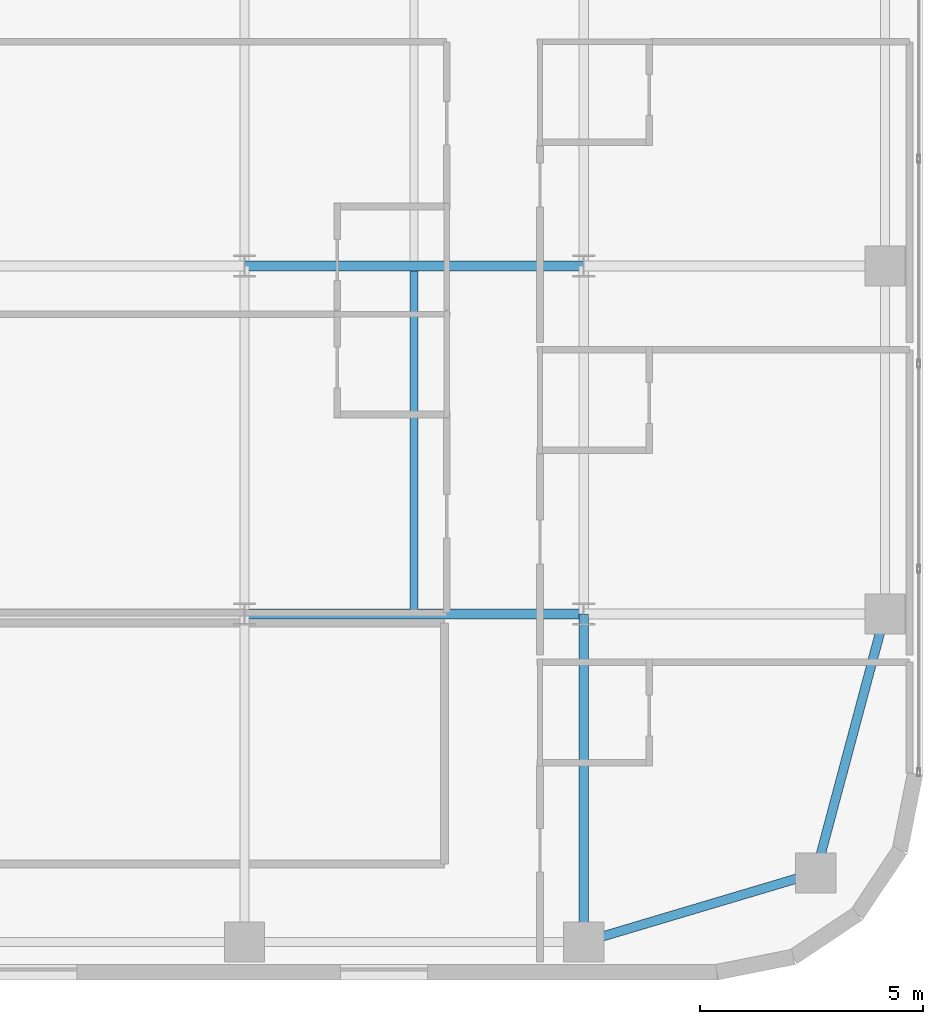
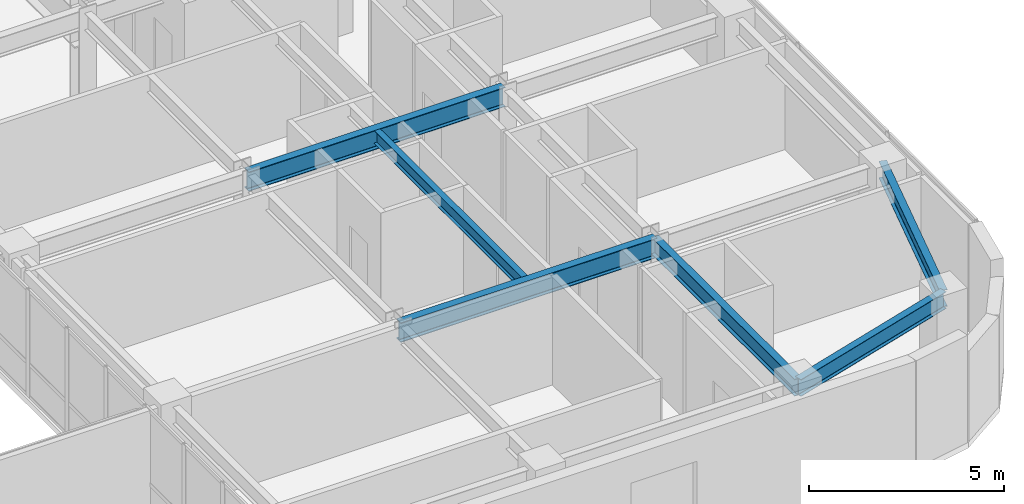
# One storey, part 8 of 25: 6 beams.
"""IFC4 building model written with IfcOpenShell, lengths in metres."""

from ifc_helpers import new_model, si_unit, direction, frame, origin, origin_2d, place, context, subcontext, project, spatial, i_section, extrude, source, transform, mapped, material, material_profile, profile_set, type_object, type_shapes, element, save


model = new_model("IFC4")

# Units and contexts
model_context = context("Model", 3, precision=1e-05, world=origin(), true_north=direction((0.0, 1.0)))
body_context = subcontext(model_context, "Body", "Model", "MODEL_VIEW")
ifc_project = project(units=[si_unit("LENGTHUNIT", "METRE"), si_unit("AREAUNIT", "SQUARE_METRE"), si_unit("VOLUMEUNIT", "CUBIC_METRE"), si_unit("PLANEANGLEUNIT", "RADIAN"), si_unit("MASSUNIT", "GRAM", prefix="KILO")], contexts=[model_context])

# Site, building, storey
site_placement = place(None, origin())
site = spatial("IfcSite", under=ifc_project, at=site_placement, CompositionType="ELEMENT")
building_placement = place(site_placement, origin())
building = spatial("IfcBuilding", under=site, at=building_placement, Name="Tolvann Quenvar Hotel", CompositionType="ELEMENT")
storey_placement = place(building_placement, frame((0.0, 0.0, 78.14990234375)))
storey = spatial("IfcBuildingStorey", under=building, at=storey_placement, Name="L19", CompositionType="ELEMENT", Elevation=78.14990234375)

# Beams
ifc_material = material(Name="Steel Grade 350", Category="steel")
ifc_material_profile_1 = material_profile(ifc_material, i_section(OverallWidth=0.208984375, OverallDepth=0.528076171875, WebThickness=0.009521484375, FlangeThickness=0.01318359375, FilletRadius=0.013916015625, at=origin_2d()), Name="530UB82")
ifc_profile_set_1 = profile_set([ifc_material_profile_1], Name="Steel Grade 350")
beam_type_1 = type_object("IfcBeamType", Name="BM_SPAND_530UB82", PredefinedType="SPANDREL", material=ifc_profile_set_1)
shared_shape_1 = source(origin(), body_context, "Body", "SweptSolid", [
    extrude(i_section(OverallWidth=0.208984375, OverallDepth=0.528076171875, WebThickness=0.009521484375, FlangeThickness=0.01318359375, FilletRadius=0.013916015625, at=origin_2d()), origin(), (0.0, 0.0, 1.0), 5.42626953125),
])
beam_1_placement = place(storey_placement, frame((49.39990234375, 0.85009765625, 3.106201171875), z_axis=(0.958344815522, 0.285613750654, 0.0), x_axis=(-0.285613750654, 0.958344815522, 0.0)))
element("IfcBeam", 1, at=beam_1_placement, inside=storey, type_object=beam_type_1, Name="BM-L19-EW-2-I2-J2", PredefinedType="SPANDREL", context=body_context, shape_type="MappedRepresentation", body=[
    mapped(shared_shape_1, transform((0.0, 0.0, 0.0), x_axis=(1.0, 0.0, 0.0), y_axis=(0.0, 1.0, 0.0), z_axis=(0.0, 0.0, 1.0), scale=1.0)),
])
ifc_material_profile_2 = material_profile(ifc_material, i_section(OverallWidth=0.22900390625, OverallDepth=0.612060546875, WebThickness=0.011962890625, FlangeThickness=0.01953125, FilletRadius=0.013916015625, at=origin_2d()), Name="610UB125")
ifc_profile_set_2 = profile_set([ifc_material_profile_2], Name="Steel Grade 350")
beam_type_2 = type_object("IfcBeamType", Name="BM_GIRD_610UB125", PredefinedType="BEAM", material=ifc_profile_set_2)
shared_shape_2 = source(origin(), body_context, "Body", "SweptSolid", [
    extrude(i_section(OverallWidth=0.22900390625, OverallDepth=0.612060546875, WebThickness=0.011962890625, FlangeThickness=0.01953125, FilletRadius=0.013916015625, at=origin_2d()), origin(), (0.0, 0.0, 1.0), 7.599853515625),
])
type_shapes(beam_type_2, [shared_shape_2])
for number, where, z_axis, x_axis, name in (
    (2, (41.800048828125, 8.199951171875, 3.064208984375), (1.0, 0.0, 0.0), (0.0, 1.0, 0.0), "BM-L19-EW-3-H3-I3"),
    (3, (41.800048828125, 16.0, 3.064208984375), (1.0, 0.0, 0.0), (0.0, 1.0, 0.0), "BM-L19-EW-4-H4-I4"),
):
    element("IfcBeam", number, at=place(storey_placement, frame(where, z_axis=z_axis, x_axis=x_axis)), inside=storey, type_object=beam_type_2, Name=name, PredefinedType="BEAM", context=body_context, shape_type="MappedRepresentation", body=[
        mapped(shared_shape_2, transform((0.0, 0.0, 0.0), x_axis=(1.0, 0.0, 0.0), y_axis=(0.0, 1.0, 0.0), z_axis=(0.0, 0.0, 1.0), scale=1.0)),
    ])
shared_shape_3 = source(origin(), body_context, "Body", "SweptSolid", [
    extrude(i_section(OverallWidth=0.208984375, OverallDepth=0.528076171875, WebThickness=0.009521484375, FlangeThickness=0.01318359375, FilletRadius=0.013916015625, at=origin_2d()), origin(), (0.0, 0.0, 1.0), 6.00341796875),
])
type_shapes(beam_type_1, [shared_shape_1, shared_shape_3])
beam_2_placement = place(storey_placement, frame((54.60009765625, 2.39990234375, 3.106201171875), z_axis=(0.258148586649, 0.966105225745, 0.0), x_axis=(-0.966105225745, 0.258148586649, 0.0)))
element("IfcBeam", 4, at=beam_2_placement, inside=storey, type_object=beam_type_1, Name="BM-L19-NS-J2-J3", PredefinedType="SPANDREL", context=body_context, shape_type="MappedRepresentation", body=[
    mapped(shared_shape_3, transform((0.0, 0.0, 0.0), x_axis=(1.0, 0.0, 0.0), y_axis=(0.0, 1.0, 0.0), z_axis=(0.0, 0.0, 1.0), scale=1.0)),
])
ifc_material_profile_3 = material_profile(ifc_material, i_section(OverallWidth=0.208984375, OverallDepth=0.532958984375, WebThickness=0.01025390625, FlangeThickness=0.015625, FilletRadius=0.013916015625, at=origin_2d()), Name="530UB92")
ifc_profile_set_3 = profile_set([ifc_material_profile_3], Name="Steel Grade 350")
beam_type_3 = type_object("IfcBeamType", Name="BM_GIRD_530UB92", PredefinedType="BEAM", material=ifc_profile_set_3)
shared_shape_4 = source(origin(), body_context, "Body", "SweptSolid", [
    extrude(i_section(OverallWidth=0.208984375, OverallDepth=0.532958984375, WebThickness=0.01025390625, FlangeThickness=0.015625, FilletRadius=0.013916015625, at=origin_2d()), origin(), (0.0, 0.0, 1.0), 7.349853515625),
])
type_shapes(beam_type_3, [shared_shape_4])
beam_3_placement = place(storey_placement, frame((49.39990234375, 0.85009765625, 3.103515625), z_axis=(0.0, 1.0, 0.0), x_axis=(-1.0, 0.0, 0.0)))
element("IfcBeam", 5, at=beam_3_placement, inside=storey, type_object=beam_type_3, Name="BM-L19-NS-I2-I3", PredefinedType="BEAM", context=body_context, shape_type="MappedRepresentation", body=[
    mapped(shared_shape_4, transform((0.0, 0.0, 0.0), x_axis=(1.0, 0.0, 0.0), y_axis=(0.0, 1.0, 0.0), z_axis=(0.0, 0.0, 1.0), scale=1.0)),
])
ifc_material_profile_4 = material_profile(ifc_material, i_section(OverallWidth=0.177978515625, OverallDepth=0.406005859375, WebThickness=0.0078125, FlangeThickness=0.0126953125, FilletRadius=0.011474609375, at=origin_2d()), Name="410UB60")
ifc_profile_set_4 = profile_set([ifc_material_profile_4], Name="Steel Grade 350")
beam_type_4 = type_object("IfcBeamType", Name="BM_JOIST_410UB60", PredefinedType="JOIST", material=ifc_profile_set_4)
shared_shape_5 = source(origin(), body_context, "Body", "SweptSolid", [
    extrude(i_section(OverallWidth=0.177978515625, OverallDepth=0.406005859375, WebThickness=0.0078125, FlangeThickness=0.0126953125, FilletRadius=0.011474609375, at=origin_2d()), origin(), (0.0, 0.0, 1.0), 7.691650390625),
])
type_shapes(beam_type_4, [shared_shape_5])
beam_4_placement = place(storey_placement, frame((45.60009765625, 8.199951171875, 3.1669921875), z_axis=(0.0, 1.0, 0.0), x_axis=(-1.0, 0.0, 0.0)))
element("IfcBeam", 6, at=beam_4_placement, inside=storey, type_object=beam_type_4, Name="BJ-L19-456-82", PredefinedType="JOIST", context=body_context, shape_type="MappedRepresentation", body=[
    mapped(shared_shape_5, transform((0.0, 0.0, 0.0), x_axis=(1.0, 0.0, 0.0), y_axis=(0.0, 1.0, 0.0), z_axis=(0.0, 0.0, 1.0), scale=1.0)),
])

save(model, "model.ifc")
